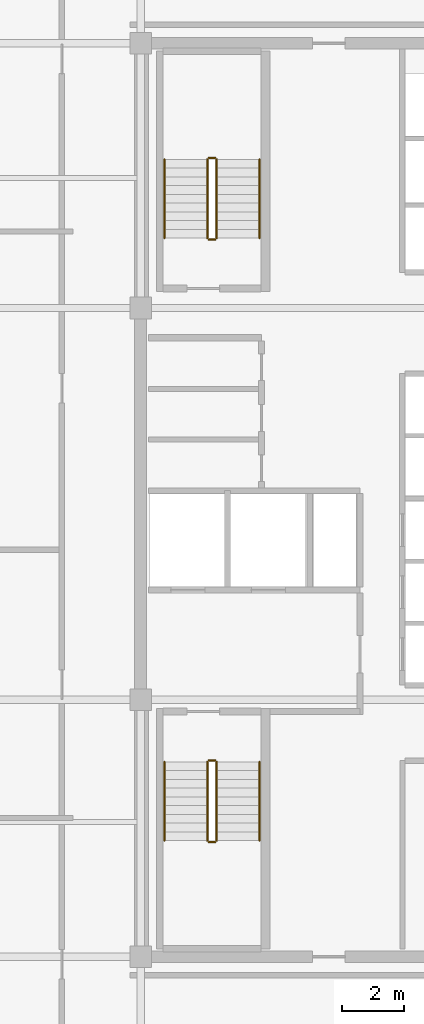
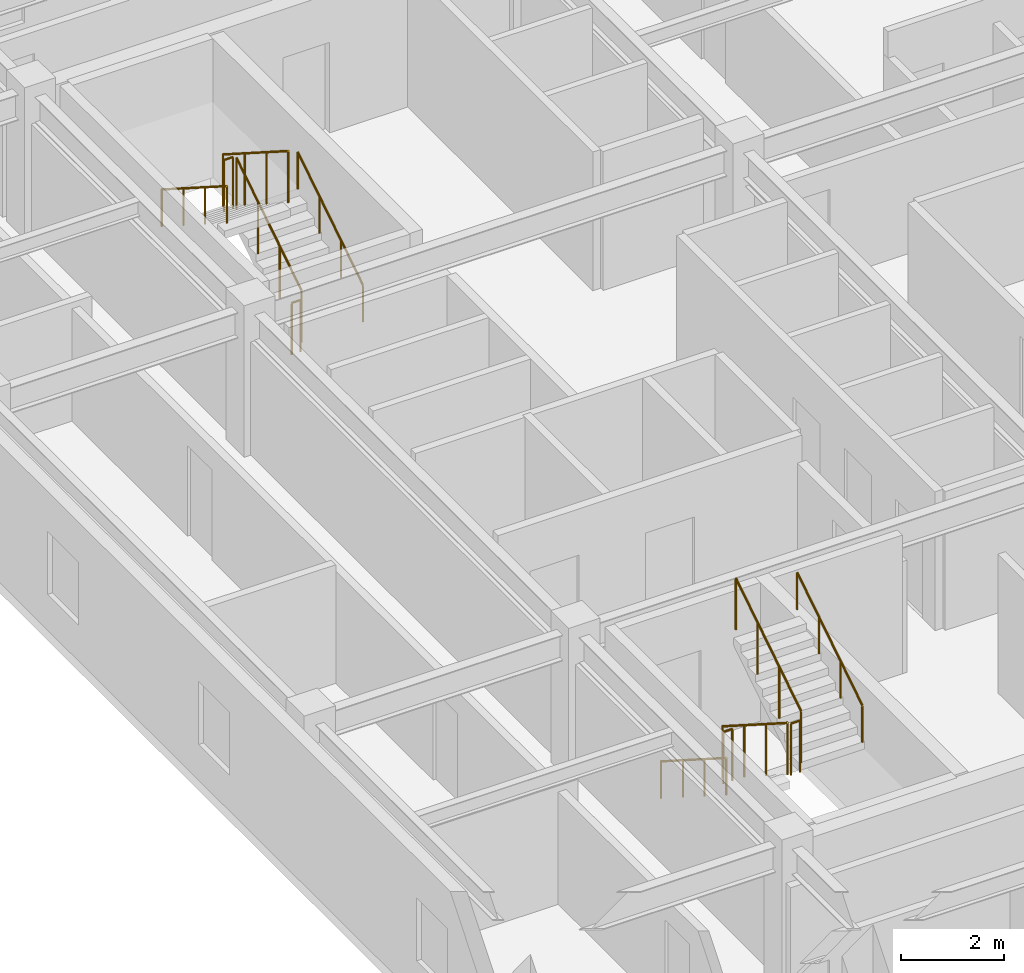
# One storey, part 8 of 8: 12 railings.
"""IFC4 building model written with IfcOpenShell, lengths in metres."""

import ifcopenshell
import ifcopenshell.guid

model = None  # the IFC model being written
_history = None  # IfcOwnerHistory: only IFC2X3 demands one
_inside = {}  # id of a spatial element -> (the spatial element, [elements in it])
_under = {}  # id of a project, library or spatial element -> (it, [spatial elements below it])
_declared = {}  # id of a project -> (the project, [libraries it declares])
_typed = {}  # id of a type object -> (the type object, [elements of that type])
_made_of = {}  # id of a material, layer set ... -> (it, [elements and type objects made of it])


def new_model(schema):
    """Start an empty IFC model of exactly this schema.

    Asked for "IFC4X3", IfcOpenShell would pick the latest addendum, in which some entities
    have other attributes; the version numbers below select the first issue.
    IFC2X3 requires an IfcOwnerHistory on every rooted entity: one is made here for all.
    """
    global model, _history
    if schema == "IFC4X3":
        model = ifcopenshell.file(schema_version=(4, 3, 0, 0))
    else:
        model = ifcopenshell.file(schema=schema)
    _inside.clear()
    _under.clear()
    _declared.clear()
    _typed.clear()
    _made_of.clear()
    _history = None
    if model.schema == "IFC2X3":
        org = make("IfcOrganization", Name="unknown")
        user = make(
            "IfcPersonAndOrganization",
            ThePerson=make("IfcPerson", FamilyName="unknown"),
            TheOrganization=org,
        )
        app = make(
            "IfcApplication",
            ApplicationDeveloper=org,
            Version="unknown",
            ApplicationFullName="unknown",
            ApplicationIdentifier="unknown",
        )
        _history = make(
            "IfcOwnerHistory",
            OwningUser=user,
            OwningApplication=app,
            ChangeAction="ADDED",
            CreationDate=0,
        )
    return model


def make(cls, **values):
    """One entity of the class cls with the attributes given. An attribute that is None is left unset."""
    return model.create_entity(
        cls, **{name: value for name, value in values.items() if value is not None}
    )


def rooted(cls, **values):
    """An entity with a GlobalId (a new one), such as an element, a storey or a relation."""
    return make(cls, GlobalId=ifcopenshell.guid.new(), OwnerHistory=_history, **values)


def si_unit(unit_type, name, prefix=None):
    """IfcSIUnit, for example si_unit("LENGTHUNIT", "METRE", prefix="MILLI")."""
    return make("IfcSIUnit", UnitType=unit_type, Prefix=prefix, Name=name)


def assignment(units):
    """IfcUnitAssignment: the units of a project."""
    return None if units is None else make("IfcUnitAssignment", Units=units)


def point(xyz):
    """IfcCartesianPoint."""
    return None if xyz is None else make("IfcCartesianPoint", Coordinates=xyz)


def direction(xyz):
    """IfcDirection."""
    return None if xyz is None else make("IfcDirection", DirectionRatios=xyz)


def frame(location, z_axis=None, x_axis=None):
    """IfcAxis2Placement3D, a coordinate frame: its origin and axes. An axis left out is left unset."""
    return make(
        "IfcAxis2Placement3D",
        Location=point(location),
        Axis=direction(z_axis),
        RefDirection=direction(x_axis),
    )


def frame_2d(location, x_axis=None):
    """IfcAxis2Placement2D, a coordinate frame in the plane: its origin and x axis."""
    return make(
        "IfcAxis2Placement2D", Location=point(location), RefDirection=direction(x_axis)
    )


def origin():
    """The frame at (0, 0, 0) with its axes left unset."""
    return frame((0.0, 0.0, 0.0))


def origin_2d():
    """The frame at (0, 0) in the plane with its x axis left unset."""
    return frame_2d((0.0, 0.0))


def place(relative_to, where):
    """IfcLocalPlacement: puts the frame where relative to a parent placement (None: the world)."""
    return make(
        "IfcLocalPlacement", PlacementRelTo=relative_to, RelativePlacement=where
    )


def context(
    kind, dimensions, precision=None, world=None, true_north=None, identifier=None
):
    """IfcGeometricRepresentationContext, for example the 3D "Model" context."""
    return make(
        "IfcGeometricRepresentationContext",
        ContextIdentifier=identifier,
        ContextType=kind,
        CoordinateSpaceDimension=dimensions,
        Precision=precision,
        WorldCoordinateSystem=world,
        TrueNorth=true_north,
    )


def subcontext(parent, identifier, kind, view, scale=None):
    """IfcGeometricRepresentationSubContext, for example "Body" below "Model"."""
    return make(
        "IfcGeometricRepresentationSubContext",
        ContextIdentifier=identifier,
        ContextType=kind,
        ParentContext=parent,
        TargetScale=scale,
        TargetView=view,
    )


def project(units=None, contexts=None):
    """IfcProject with its units and contexts."""
    return rooted(
        "IfcProject",
        Name="project",
        RepresentationContexts=contexts,
        UnitsInContext=assignment(units),
    )


def spatial(cls, under=None, at=None, **own):
    """A site, building, storey or space (cls), placed at a placement, below another one or the project."""
    s = rooted(cls, ObjectPlacement=at, **own)
    if under is not None:
        _under.setdefault(under.id(), (under, []))[1].append(s)
    return s


def profile(cls, at=None, kind="AREA", **sizes):
    """A parametric profile (cls). Its sizes go by their IFC names, for example OverallWidth=200.0."""
    return make(cls, ProfileType=kind, Position=at, **sizes)


def circle(**sizes):
    """IfcCircleProfileDef."""
    return profile("IfcCircleProfileDef", **sizes)


def extrude(swept, where, along, depth):
    """IfcExtrudedAreaSolid: the profile swept, set in the frame where, extruded along a direction by depth."""
    return make(
        "IfcExtrudedAreaSolid",
        SweptArea=swept,
        Position=where,
        ExtrudedDirection=direction(along),
        Depth=depth,
    )


def shape(context_of_items, identifier, shape_type, items):
    """IfcShapeRepresentation: the items that make up one representation, for example the "Body"."""
    return make(
        "IfcShapeRepresentation",
        ContextOfItems=context_of_items,
        RepresentationIdentifier=identifier,
        RepresentationType=shape_type,
        Items=items,
    )


def material(Name=None, Category=None):
    """IfcMaterial."""
    return make("IfcMaterial", Name=Name, Category=Category)


def made_of(thing, what):
    """Note that an element or type object is made of a material, layer set ...; save() writes the relation."""
    if what is not None:
        _made_of.setdefault(what.id(), (what, []))[1].append(thing)
    return thing


def type_object(cls, material=None, **own):
    """A type object (cls), such as IfcWallType, which elements share."""
    return made_of(rooted(cls, **own), material)


def element(
    cls,
    number,
    at=None,
    inside=None,
    cuts=None,
    type_object=None,
    material=None,
    context=None,
    identifier="Body",
    shape_type=None,
    held_by="IfcProductDefinitionShape",
    body=None,
    shapes=None,
    **own,
):
    """One element of the class cls, such as IfcWall. Its Tag is "e" and its number.

    at: its placement. inside: the storey or other place that contains it. cuts: it is an
    opening in that element (IfcRelVoidsElement). A single representation is given by context,
    identifier, shape_type and body (its items); several are given by shapes. held_by: the class
    of the entity that holds the representations. save() writes the other relations.
    """
    e = rooted(cls, Tag="e%d" % number, ObjectPlacement=at, **own)
    if body is not None:
        shapes = [shape(context, identifier, shape_type, body)]
    if shapes is not None:
        e.Representation = make(held_by, Representations=shapes)
    if inside is not None:
        _inside.setdefault(inside.id(), (inside, []))[1].append(e)
    if cuts is not None:
        rooted(
            "IfcRelVoidsElement", RelatingBuildingElement=cuts, RelatedOpeningElement=e
        )
    if type_object is not None:
        _typed.setdefault(type_object.id(), (type_object, []))[1].append(e)
    return made_of(e, material)


def aggregate(whole, parts):
    """IfcRelAggregates: a whole, such as a stair, and the parts it consists of."""
    return rooted("IfcRelAggregates", RelatingObject=whole, RelatedObjects=parts)


def save(model, path):
    """Write the relations noted so far, then the file.

    IfcRelAggregates (storeys below a building ...), IfcRelContainedInSpatialStructure (elements
    in a storey), IfcRelDefinesByType, IfcRelAssociatesMaterial and IfcRelDeclares: one each for
    every whole, place, type object, material and project.
    """
    for whole, parts in _under.values():
        aggregate(whole, parts)
    for where, things in _inside.values():
        rooted(
            "IfcRelContainedInSpatialStructure",
            RelatedElements=things,
            RelatingStructure=where,
        )
    for kind, things in _typed.values():
        rooted("IfcRelDefinesByType", RelatedObjects=things, RelatingType=kind)
    for what, things in _made_of.values():
        rooted("IfcRelAssociatesMaterial", RelatedObjects=things, RelatingMaterial=what)
    for by, libraries in _declared.values():
        rooted("IfcRelDeclares", RelatingContext=by, RelatedDefinitions=libraries)
    model.write(path)


model = new_model("IFC4")

# Units and contexts
model_context = context("Model", 3, precision=1e-05, world=origin(), true_north=direction((0.0, 1.0)))
body_context = subcontext(model_context, "Body", "Model", "MODEL_VIEW")
ifc_project = project(units=[si_unit("LENGTHUNIT", "METRE"), si_unit("AREAUNIT", "SQUARE_METRE"), si_unit("VOLUMEUNIT", "CUBIC_METRE"), si_unit("PLANEANGLEUNIT", "RADIAN"), si_unit("MASSUNIT", "GRAM", prefix="KILO")], contexts=[model_context])

# Site, building, storey
site_placement = place(None, origin())
site = spatial("IfcSite", under=ifc_project, at=site_placement, CompositionType="ELEMENT")
building_placement = place(site_placement, origin())
building = spatial("IfcBuilding", under=site, at=building_placement, Name="Ochreholt Gables", CompositionType="ELEMENT")
storey_placement = place(building_placement, frame((0.0, 0.0, 196.199951171875)))
storey = spatial("IfcBuildingStorey", under=building, at=storey_placement, Name="L51", CompositionType="ELEMENT", Elevation=196.199951171875)

# Railings
ifc_material_1 = material(Name="Painted Steel Stair Guardrail", Category="steel")
railing_type_1 = type_object("IfcRailingType", Name="RL-ST-GUARD", PredefinedType="GUARDRAIL", material=ifc_material_1)
railing_1_placement = place(storey_placement, frame((26.35009765625, 15.5400390625, 0.179931640625)))
element("IfcRailing", 1, at=railing_1_placement, inside=storey, type_object=railing_type_1, Name="L51 ST-1 stair guard 1", PredefinedType="GUARDRAIL", context=body_context, shape_type="SweptSolid", body=[
    extrude(circle(Radius=0.02392578125, at=origin_2d()), frame((0.0, 0.0, 1.22607421875), z_axis=(0.0, -0.842912820907, 0.538050161556), x_axis=(1.0, 0.0, 0.0)), (0.0, 0.0, 1.0), 3.010986328125),
    extrude(circle(Radius=0.02099609375, at=origin_2d()), origin(), (0.0, 0.0, 1.0), 1.201904296875),
    extrude(circle(Radius=0.02099609375, at=origin_2d()), frame((0.0, -0.845947265625, 0.5400390625)), (0.0, 0.0, 1.0), 1.201904296875),
    extrude(circle(Radius=0.02099609375, at=origin_2d()), frame((0.0, -1.692138671875, 1.080078125)), (0.0, 0.0, 1.0), 1.201904296875),
    extrude(circle(Radius=0.02099609375, at=origin_2d()), frame((0.0, -2.5380859375, 1.6201171875)), (0.0, 0.0, 1.0), 1.201904296875),
])
railing_2_placement = place(storey_placement, frame((26.39990234375, 12.951904296875, 1.800048828125)))
element("IfcRailing", 2, at=railing_2_placement, inside=storey, type_object=railing_type_1, Name="L51 ST-1 stair guard 2", PredefinedType="GUARDRAIL", context=body_context, shape_type="SweptSolid", body=[
    extrude(circle(Radius=0.02392578125, at=origin_2d()), frame((0.0, 0.0, 1.22607421875), z_axis=(1.0, 0.0, 0.0), x_axis=(0.0, 1.0, 0.0)), (0.0, 0.0, 1.0), 0.2001953125),
    extrude(circle(Radius=0.02099609375, at=origin_2d()), origin(), (0.0, 0.0, 1.0), 1.201904296875),
    extrude(circle(Radius=0.02099609375, at=origin_2d()), frame((0.2001953125, 0.0, 0.0)), (0.0, 0.0, 1.0), 1.201904296875),
])
railing_3_placement = place(storey_placement, frame((26.64990234375, 13.001953125, 1.97998046875)))
element("IfcRailing", 3, at=railing_3_placement, inside=storey, type_object=railing_type_1, Name="L51 ST-1 stair guard 3", PredefinedType="GUARDRAIL", context=body_context, shape_type="SweptSolid", body=[
    extrude(circle(Radius=0.02392578125, at=origin_2d()), frame((0.0, 0.0, 1.22607421875), z_axis=(0.0, 0.842912820907, 0.538050161556), x_axis=(-1.0, 0.0, 0.0)), (0.0, 0.0, 1.0), 3.010986328125),
    extrude(circle(Radius=0.02099609375, at=origin_2d()), origin(), (0.0, 0.0, 1.0), 1.201904296875),
    extrude(circle(Radius=0.02099609375, at=origin_2d()), frame((0.0, 0.845947265625, 0.5400390625)), (0.0, 0.0, 1.0), 1.201904296875),
    extrude(circle(Radius=0.02099609375, at=origin_2d()), frame((0.0, 1.692138671875, 1.080078125)), (0.0, 0.0, 1.0), 1.201904296875),
    extrude(circle(Radius=0.02099609375, at=origin_2d()), frame((0.0, 2.5380859375, 1.6201171875)), (0.0, 0.0, 1.0), 1.201904296875),
])
railing_4_placement = place(storey_placement, frame((26.39990234375, 15.590087890625, 0.0)))
element("IfcRailing", 4, at=railing_4_placement, inside=storey, type_object=railing_type_1, Name="L51 ST-1 stair guard 4", PredefinedType="GUARDRAIL", context=body_context, shape_type="SweptSolid", body=[
    extrude(circle(Radius=0.02392578125, at=origin_2d()), frame((0.0, 0.0, 1.22607421875), z_axis=(1.0, 0.0, 0.0), x_axis=(0.0, 1.0, 0.0)), (0.0, 0.0, 1.0), 0.2001953125),
    extrude(circle(Radius=0.02099609375, at=origin_2d()), origin(), (0.0, 0.0, 1.0), 1.201904296875),
    extrude(circle(Radius=0.02099609375, at=origin_2d()), frame((0.2001953125, 0.0, 0.0)), (0.0, 0.0, 1.0), 1.201904296875),
])
railing_5_placement = place(storey_placement, frame((26.64990234375, 32.4599609375, 0.179931640625)))
element("IfcRailing", 5, at=railing_5_placement, inside=storey, type_object=railing_type_1, Name="L51 ST-2 stair guard 1", PredefinedType="GUARDRAIL", context=body_context, shape_type="SweptSolid", body=[
    extrude(circle(Radius=0.02392578125, at=origin_2d()), frame((0.0, 0.0, 1.22607421875), z_axis=(0.0, 0.842912820907, 0.538050161556), x_axis=(-1.0, 0.0, 0.0)), (0.0, 0.0, 1.0), 3.010986328125),
    extrude(circle(Radius=0.02099609375, at=origin_2d()), origin(), (0.0, 0.0, 1.0), 1.201904296875),
    extrude(circle(Radius=0.02099609375, at=origin_2d()), frame((0.0, 0.845947265625, 0.5400390625)), (0.0, 0.0, 1.0), 1.201904296875),
    extrude(circle(Radius=0.02099609375, at=origin_2d()), frame((0.0, 1.692138671875, 1.080078125)), (0.0, 0.0, 1.0), 1.201904296875),
    extrude(circle(Radius=0.02099609375, at=origin_2d()), frame((0.0, 2.5380859375, 1.6201171875)), (0.0, 0.0, 1.0), 1.201904296875),
])
railing_6_placement = place(storey_placement, frame((26.60009765625, 35.048095703125, 1.800048828125)))
element("IfcRailing", 6, at=railing_6_placement, inside=storey, type_object=railing_type_1, Name="L51 ST-2 stair guard 2", PredefinedType="GUARDRAIL", context=body_context, shape_type="SweptSolid", body=[
    extrude(circle(Radius=0.02392578125, at=origin_2d()), frame((0.0, 0.0, 1.22607421875), z_axis=(-1.0, 0.0, 0.0), x_axis=(0.0, -1.0, 0.0)), (0.0, 0.0, 1.0), 0.2001953125),
    extrude(circle(Radius=0.02099609375, at=origin_2d()), origin(), (0.0, 0.0, 1.0), 1.201904296875),
    extrude(circle(Radius=0.02099609375, at=origin_2d()), frame((-0.2001953125, 0.0, 0.0)), (0.0, 0.0, 1.0), 1.201904296875),
])
railing_7_placement = place(storey_placement, frame((26.35009765625, 34.998046875, 1.97998046875)))
element("IfcRailing", 7, at=railing_7_placement, inside=storey, type_object=railing_type_1, Name="L51 ST-2 stair guard 3", PredefinedType="GUARDRAIL", context=body_context, shape_type="SweptSolid", body=[
    extrude(circle(Radius=0.02392578125, at=origin_2d()), frame((0.0, 0.0, 1.22607421875), z_axis=(0.0, -0.842912820907, 0.538050161556), x_axis=(1.0, 0.0, 0.0)), (0.0, 0.0, 1.0), 3.010986328125),
    extrude(circle(Radius=0.02099609375, at=origin_2d()), origin(), (0.0, 0.0, 1.0), 1.201904296875),
    extrude(circle(Radius=0.02099609375, at=origin_2d()), frame((0.0, -0.845947265625, 0.5400390625)), (0.0, 0.0, 1.0), 1.201904296875),
    extrude(circle(Radius=0.02099609375, at=origin_2d()), frame((0.0, -1.692138671875, 1.080078125)), (0.0, 0.0, 1.0), 1.201904296875),
    extrude(circle(Radius=0.02099609375, at=origin_2d()), frame((0.0, -2.5380859375, 1.6201171875)), (0.0, 0.0, 1.0), 1.201904296875),
])
railing_8_placement = place(storey_placement, frame((26.60009765625, 32.409912109375, 0.0)))
element("IfcRailing", 8, at=railing_8_placement, inside=storey, type_object=railing_type_1, Name="L51 ST-2 stair guard 4", PredefinedType="GUARDRAIL", context=body_context, shape_type="SweptSolid", body=[
    extrude(circle(Radius=0.02392578125, at=origin_2d()), frame((0.0, 0.0, 1.22607421875), z_axis=(-1.0, 0.0, 0.0), x_axis=(0.0, -1.0, 0.0)), (0.0, 0.0, 1.0), 0.2001953125),
    extrude(circle(Radius=0.02099609375, at=origin_2d()), origin(), (0.0, 0.0, 1.0), 1.201904296875),
    extrude(circle(Radius=0.02099609375, at=origin_2d()), frame((-0.2001953125, 0.0, 0.0)), (0.0, 0.0, 1.0), 1.201904296875),
])
ifc_material_2 = material(Name="Brushed Stainless Steel Wall Handrail", Category="steel")
railing_type_2 = type_object("IfcRailingType", Name="RL-ST-HAND", PredefinedType="HANDRAIL", material=ifc_material_2)
railing_9_placement = place(storey_placement, frame((24.969970703125, 15.5400390625, 0.179931640625)))
element("IfcRailing", 9, at=railing_9_placement, inside=storey, type_object=railing_type_2, Name="L51 ST-1 stair handrail 1", PredefinedType="HANDRAIL", context=body_context, shape_type="SweptSolid", body=[
    extrude(circle(Radius=0.02392578125, at=origin_2d()), frame((0.0, 0.0, 0.8759765625), z_axis=(0.0, -0.842912820907, 0.538050161556), x_axis=(1.0, 0.0, 0.0)), (0.0, 0.0, 1.0), 3.010986328125),
    extrude(circle(Radius=0.02099609375, at=origin_2d()), origin(), (0.0, 0.0, 1.0), 0.851806640625),
    extrude(circle(Radius=0.02099609375, at=origin_2d()), frame((0.0, -0.845947265625, 0.5400390625)), (0.0, 0.0, 1.0), 0.851806640625),
    extrude(circle(Radius=0.02099609375, at=origin_2d()), frame((0.0, -1.692138671875, 1.080078125)), (0.0, 0.0, 1.0), 0.851806640625),
    extrude(circle(Radius=0.02099609375, at=origin_2d()), frame((0.0, -2.5380859375, 1.6201171875)), (0.0, 0.0, 1.0), 0.851806640625),
])
for number, where, name in (
    (10, (28.030029296875, 13.001953125, 1.97998046875), "L51 ST-1 stair handrail 2"),
    (11, (28.030029296875, 32.4599609375, 0.179931640625), "L51 ST-2 stair handrail 1"),
):
    element("IfcRailing", number, at=place(storey_placement, frame(where)), inside=storey, type_object=railing_type_2, Name=name, PredefinedType="HANDRAIL", context=body_context, shape_type="SweptSolid", body=[
        extrude(circle(Radius=0.02392578125, at=origin_2d()), frame((0.0, 0.0, 0.8759765625), z_axis=(0.0, 0.842912820907, 0.538050161556), x_axis=(-1.0, 0.0, 0.0)), (0.0, 0.0, 1.0), 3.010986328125),
        extrude(circle(Radius=0.02099609375, at=origin_2d()), origin(), (0.0, 0.0, 1.0), 0.851806640625),
        extrude(circle(Radius=0.02099609375, at=origin_2d()), frame((0.0, 0.845947265625, 0.5400390625)), (0.0, 0.0, 1.0), 0.851806640625),
        extrude(circle(Radius=0.02099609375, at=origin_2d()), frame((0.0, 1.692138671875, 1.080078125)), (0.0, 0.0, 1.0), 0.851806640625),
        extrude(circle(Radius=0.02099609375, at=origin_2d()), frame((0.0, 2.5380859375, 1.6201171875)), (0.0, 0.0, 1.0), 0.851806640625),
    ])
railing_10_placement = place(storey_placement, frame((24.969970703125, 34.998046875, 1.97998046875)))
element("IfcRailing", 12, at=railing_10_placement, inside=storey, type_object=railing_type_2, Name="L51 ST-2 stair handrail 2", PredefinedType="HANDRAIL", context=body_context, shape_type="SweptSolid", body=[
    extrude(circle(Radius=0.02392578125, at=origin_2d()), frame((0.0, 0.0, 0.8759765625), z_axis=(0.0, -0.842912820907, 0.538050161556), x_axis=(1.0, 0.0, 0.0)), (0.0, 0.0, 1.0), 3.010986328125),
    extrude(circle(Radius=0.02099609375, at=origin_2d()), origin(), (0.0, 0.0, 1.0), 0.851806640625),
    extrude(circle(Radius=0.02099609375, at=origin_2d()), frame((0.0, -0.845947265625, 0.5400390625)), (0.0, 0.0, 1.0), 0.851806640625),
    extrude(circle(Radius=0.02099609375, at=origin_2d()), frame((0.0, -1.692138671875, 1.080078125)), (0.0, 0.0, 1.0), 0.851806640625),
    extrude(circle(Radius=0.02099609375, at=origin_2d()), frame((0.0, -2.5380859375, 1.6201171875)), (0.0, 0.0, 1.0), 0.851806640625),
])

save(model, "model.ifc")
